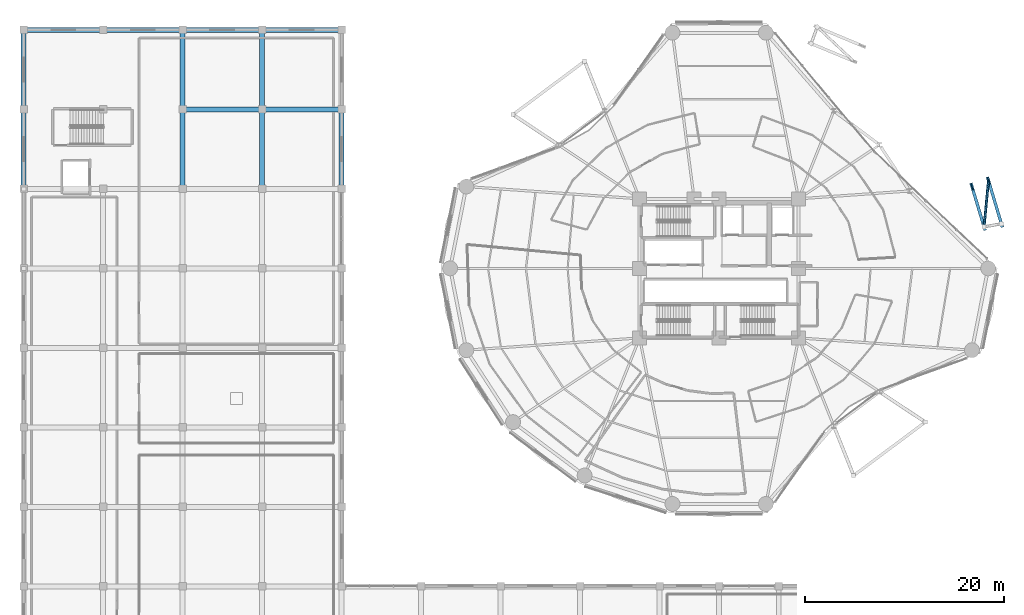
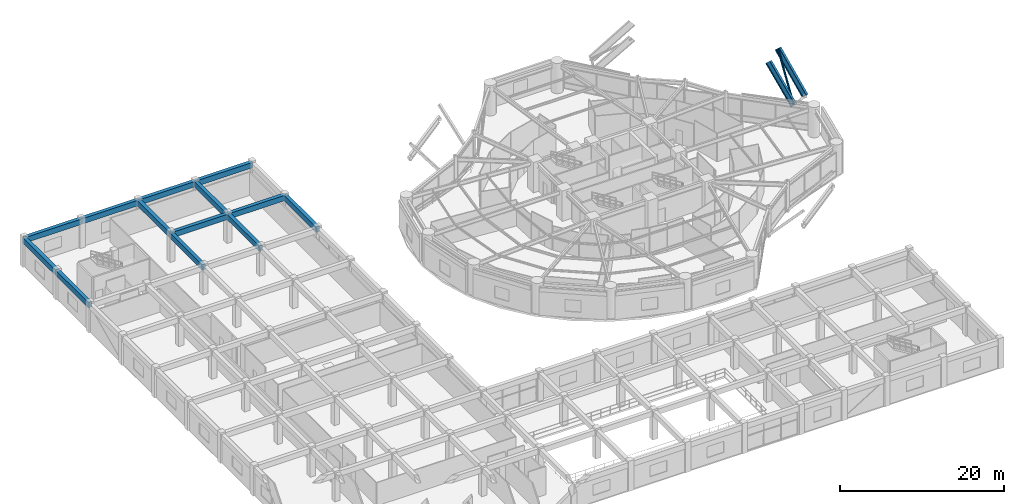
# One storey, part 28 of 55: 15 beams, 1 member.
"""IFC4 building model written with IfcOpenShell, lengths in metres."""

from ifc_helpers import new_model, si_unit, direction, frame, origin, origin_2d, place, context, subcontext, project, spatial, rectangle, hollow_circle, i_section, extrude, material, material_profile, profile_set, type_object, element, save


model = new_model("IFC4")

# Units and contexts
model_context = context("Model", 3, precision=1e-05, world=origin(), true_north=direction((0.0, 1.0)))
body_context = subcontext(model_context, "Body", "Model", "MODEL_VIEW")
ifc_project = project(units=[si_unit("LENGTHUNIT", "METRE"), si_unit("AREAUNIT", "SQUARE_METRE"), si_unit("VOLUMEUNIT", "CUBIC_METRE"), si_unit("PLANEANGLEUNIT", "RADIAN"), si_unit("MASSUNIT", "GRAM", prefix="KILO")], contexts=[model_context])

# Site, building, storey
site_placement = place(None, origin())
site = spatial("IfcSite", under=ifc_project, at=site_placement, CompositionType="ELEMENT")
building_placement = place(site_placement, origin())
building = spatial("IfcBuilding", under=site, at=building_placement, Name="Kelanora Arch Commons", CompositionType="ELEMENT")
storey_placement = place(building_placement, frame((0.0, 0.0, 4.5)))
storey = spatial("IfcBuildingStorey", under=building, at=storey_placement, Name="L01", CompositionType="ELEMENT", Elevation=4.5)

# Beams
ifc_material_1 = material(Name="Steel S355", Category="steel")
ifc_material_profile_1 = material_profile(ifc_material_1, i_section(OverallWidth=0.302001953125, OverallDepth=1.008056640625, WebThickness=0.02099609375, FlangeThickness=0.0400390625, FilletRadius=0.030029296875, at=origin_2d()), Name="HEM1000")
ifc_profile_set_1 = profile_set([ifc_material_profile_1], Name="Steel S355")
beam_type_1 = type_object("IfcBeamType", Name="BM-ARCH-RIB", PredefinedType="USERDEFINED", material=ifc_profile_set_1)
beam_1_placement = place(storey_placement, frame((100.668701171875, 62.181396484375, 1.91259765625), z_axis=(-0.199174620445, 0.661009776525, 0.723460811592), x_axis=(-0.957478067371, -0.288506066666, 0.0)))
element("IfcBeam", 1, at=beam_1_placement, inside=storey, type_object=beam_type_1, Name="Parabolic Giant Arch Inner Rib 02", ObjectType="ARCH_RIB", PredefinedType="USERDEFINED", context=body_context, shape_type="SweptSolid", body=[
    extrude(i_section(OverallWidth=0.302001953125, OverallDepth=1.008056640625, WebThickness=0.02099609375, FlangeThickness=0.0400390625, FilletRadius=0.030029296875, at=origin_2d()), origin(), (0.0, 0.0, 1.0), 6.1337890625),
])
beam_2_placement = place(storey_placement, frame((102.41162109375, 62.48876953125, 2.52490234375), z_axis=(-0.195315589789, 0.653176952684, 0.731581635136), x_axis=(-0.95808326317, -0.286489896565, 0.0)))
element("IfcBeam", 2, at=beam_2_placement, inside=storey, type_object=beam_type_1, Name="Parabolic Giant Arch Outer Rib 02", ObjectType="ARCH_RIB", PredefinedType="USERDEFINED", context=body_context, shape_type="SweptSolid", body=[
    extrude(i_section(OverallWidth=0.302001953125, OverallDepth=1.008056640625, WebThickness=0.02099609375, FlangeThickness=0.0400390625, FilletRadius=0.030029296875, at=origin_2d()), origin(), (0.0, 0.0, 1.0), 6.66357421875),
])
ifc_material_2 = material(Name="Concrete C40/50", Category="concrete")
ifc_material_profile_2 = material_profile(ifc_material_2, rectangle(XDim=0.5, YDim=0.800048828125, at=origin_2d()), Name="RCB500x800")
ifc_profile_set_2 = profile_set([ifc_material_profile_2], Name="Concrete C40/50")
beam_type_2 = type_object("IfcBeamType", Name="BM-MKT-RC1", PredefinedType="BEAM", material=ifc_profile_set_2)
for number, where, z_axis, x_axis, name in (
    (3, (4.0, 66.0, 3.840087890625), (0.0, 1.0, 0.0), (-1.0, 0.0, 0.0), "Market/Basement Frame Beam 018 L01"),
    (4, (4.0, 74.0, 3.840087890625), (0.0, 1.0, 0.0), (-1.0, 0.0, 0.0), "Market/Basement Frame Beam 019 L01"),
    (5, (4.0, 82.0, 3.840087890625), (1.0, 0.0, 0.0), (0.0, 1.0, 0.0), "Market/Basement Frame Beam 020 L01"),
    (6, (12.0, 82.0, 3.840087890625), (1.0, 0.0, 0.0), (0.0, 1.0, 0.0), "Market/Basement Frame Beam 037 L01"),
    (7, (20.0, 66.0, 3.840087890625), (0.0, 1.0, 0.0), (-1.0, 0.0, 0.0), "Market/Basement Frame Beam 055 L01"),
    (8, (20.0, 74.0, 3.840087890625), (1.0, 0.0, 0.0), (0.0, 1.0, 0.0), "Market/Basement Frame Beam 056 L01"),
    (9, (20.0, 74.0, 3.840087890625), (0.0, 1.0, 0.0), (-1.0, 0.0, 0.0), "Market/Basement Frame Beam 057 L01"),
    (10, (20.0, 82.0, 3.840087890625), (1.0, 0.0, 0.0), (0.0, 1.0, 0.0), "Market/Basement Frame Beam 058 L01"),
    (11, (28.0, 66.0, 3.840087890625), (0.0, 1.0, 0.0), (-1.0, 0.0, 0.0), "Market/Basement Frame Beam 076 L01"),
    (12, (28.0, 74.0, 3.840087890625), (1.0, 0.0, 0.0), (0.0, 1.0, 0.0), "Market/Basement Frame Beam 077 L01"),
    (13, (28.0, 74.0, 3.840087890625), (0.0, 1.0, 0.0), (-1.0, 0.0, 0.0), "Market/Basement Frame Beam 078 L01"),
    (14, (28.0, 82.0, 3.840087890625), (1.0, 0.0, 0.0), (0.0, 1.0, 0.0), "Market/Basement Frame Beam 079 L01"),
    (15, (36.0, 66.0, 3.840087890625), (0.0, 1.0, 0.0), (-1.0, 0.0, 0.0), "Market/Basement Frame Beam 092 L01"),
):
    element("IfcBeam", number, at=place(storey_placement, frame(where, z_axis=z_axis, x_axis=x_axis)), inside=storey, type_object=beam_type_2, Name=name, PredefinedType="BEAM", context=body_context, shape_type="SweptSolid", body=[
        extrude(rectangle(XDim=0.5, YDim=0.800048828125, at=origin_2d()), origin(), (0.0, 0.0, 1.0), 8.0),
    ])

# Member
ifc_material_profile_3 = material_profile(ifc_material_1, hollow_circle(Radius=0.136474609375, WallThickness=0.012451171875, at=origin_2d()), Name="CHS273x12.5")
ifc_profile_set_3 = profile_set([ifc_material_profile_3], Name="Steel S355")
member_type = type_object("IfcMemberType", Name="MEM-MKT-BRACE", PredefinedType="BRACE", material=ifc_profile_set_3)
member_placement = place(storey_placement, frame((100.668701171875, 62.181396484375, 1.91259765625), z_axis=(0.061200186941, 0.646088477953, 0.760804978806), x_axis=(-0.995543633755, 0.094302032264, 0.0)))
element("IfcMember", 16, at=member_placement, inside=storey, type_object=member_type, Name="Giant Arch Spatial Diagonal Lacing 02", PredefinedType="BRACE", context=body_context, shape_type="SweptSolid", body=[
    extrude(hollow_circle(Radius=0.136474609375, WallThickness=0.012451171875, at=origin_2d()), origin(), (0.0, 0.0, 1.0), 7.21240234375),
])

save(model, "model.ifc")
